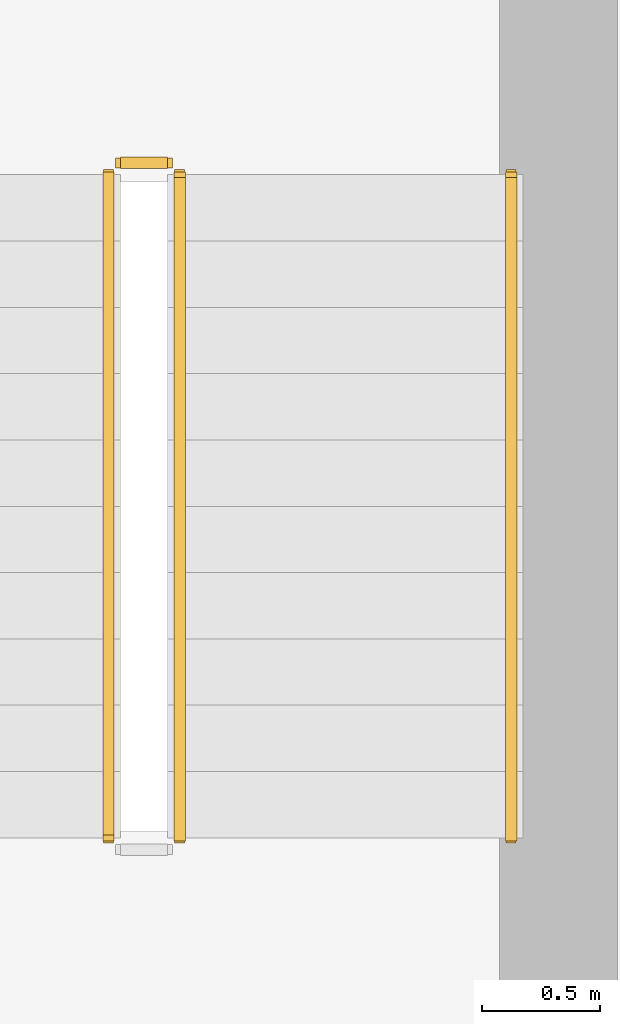
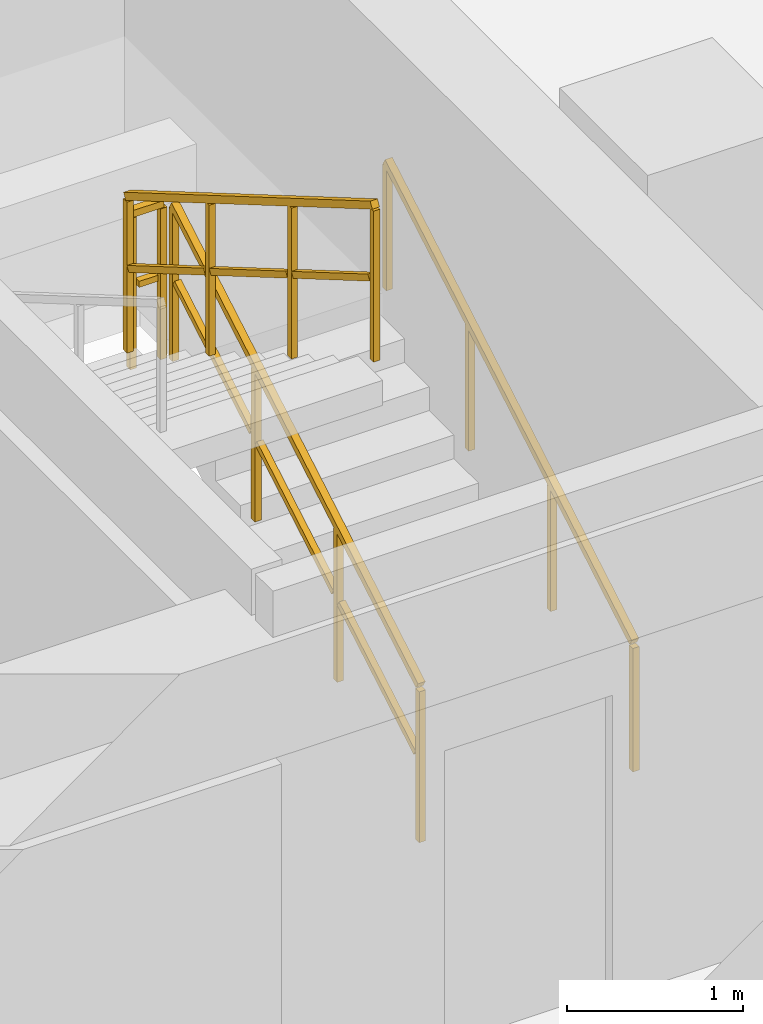
# One storey, part 33 of 33: 4 railings.
"""IFC4 building model written with IfcOpenShell, lengths in metres."""

from ifc_helpers import new_model, si_unit, direction, frame, origin, origin_2d, place, context, subcontext, project, spatial, rectangle, extrude, material, type_object, element, save


model = new_model("IFC4")

# Units and contexts
model_context = context("Model", 3, precision=1e-05, world=origin(), true_north=direction((0.0, 1.0)))
body_context = subcontext(model_context, "Body", "Model", "MODEL_VIEW")
ifc_project = project(units=[si_unit("LENGTHUNIT", "METRE"), si_unit("AREAUNIT", "SQUARE_METRE"), si_unit("VOLUMEUNIT", "CUBIC_METRE"), si_unit("PLANEANGLEUNIT", "RADIAN"), si_unit("MASSUNIT", "GRAM", prefix="KILO")], contexts=[model_context])

# Site, building, storey
site_placement = place(None, origin())
site = spatial("IfcSite", under=ifc_project, at=site_placement, CompositionType="ELEMENT")
building_placement = place(site_placement, origin())
building = spatial("IfcBuilding", under=site, at=building_placement, Name="Thornwick Lancets Civic Towers", CompositionType="ELEMENT")
storey_placement = place(building_placement, frame((0.0, 0.0, 218.10009765625)))
storey = spatial("IfcBuildingStorey", under=building, at=storey_placement, Name="L58", CompositionType="ELEMENT", Elevation=218.10009765625)

# Railings
ifc_material_1 = material(Name="Brushed stainless steel S355", Category="steel")
railing_type_1 = type_object("IfcRailingType", Name="RAIL_HANDRAIL", PredefinedType="HANDRAIL", material=ifc_material_1)
railing_1_placement = place(storey_placement, frame((100.449951171875, 20.89990234375, 0.16357421875)))
element("IfcRailing", 1, at=railing_1_placement, inside=storey, type_object=railing_type_1, Name="L58 ST-B1 stair handrail 1", PredefinedType="HANDRAIL", context=body_context, shape_type="SweptSolid", body=[
    extrude(rectangle(XDim=0.048095703125, YDim=0.048095703125, at=origin_2d()), frame((0.0, 0.0, 0.8857421875), z_axis=(0.0, 0.863393664356, 0.504530851732), x_axis=(-1.0, 0.0, 0.0)), (0.0, 0.0, 1.0), 3.2431640625),
    extrude(rectangle(XDim=0.0419921875, YDim=0.0419921875, at=origin_2d()), origin(), (0.0, 0.0, 1.0), 0.855712890625),
    extrude(rectangle(XDim=0.0419921875, YDim=0.0419921875, at=origin_2d()), frame((0.0, 0.933349609375, 0.54541015625)), (0.0, 0.0, 1.0), 0.855712890625),
    extrude(rectangle(XDim=0.0419921875, YDim=0.0419921875, at=origin_2d()), frame((0.0, 1.86669921875, 1.0908203125)), (0.0, 0.0, 1.0), 0.855712890625),
    extrude(rectangle(XDim=0.0419921875, YDim=0.0419921875, at=origin_2d()), frame((0.0, 2.800048828125, 1.63623046875)), (0.0, 0.0, 1.0), 0.855712890625),
])
ifc_material_2 = material(Name="Steel S355JR", Category="steel")
railing_type_2 = type_object("IfcRailingType", Name="RAIL_STAIR_GUARD", PredefinedType="GUARDRAIL", material=ifc_material_2)
railing_2_placement = place(storey_placement, frame((99.050048828125, 20.89990234375, 0.16357421875)))
element("IfcRailing", 2, at=railing_2_placement, inside=storey, type_object=railing_type_2, Name="L58 ST-B1 stair guard 1", PredefinedType="GUARDRAIL", context=body_context, shape_type="SweptSolid", body=[
    extrude(rectangle(XDim=0.048095703125, YDim=0.048095703125, at=origin_2d()), frame((0.0, 0.0, 1.076171875), z_axis=(0.0, 0.863393664356, 0.504530851732), x_axis=(-1.0, 0.0, 0.0)), (0.0, 0.0, 1.0), 3.2431640625),
    extrude(rectangle(XDim=0.0419921875, YDim=0.0419921875, at=origin_2d()), frame((0.0, 0.032470703125, 0.591064453125), z_axis=(0.0, 0.863393664356, 0.504530851732), x_axis=(-1.0, 0.0, 0.0)), (0.0, 0.0, 1.0), 1.006103515625),
    extrude(rectangle(XDim=0.0419921875, YDim=0.0419921875, at=origin_2d()), frame((0.0, 0.9658203125, 1.136474609375), z_axis=(0.0, 0.863393664356, 0.504530851732), x_axis=(-1.0, 0.0, 0.0)), (0.0, 0.0, 1.0), 1.006103515625),
    extrude(rectangle(XDim=0.0419921875, YDim=0.0419921875, at=origin_2d()), frame((0.0, 1.899169921875, 1.681884765625), z_axis=(0.0, 0.863393664356, 0.504530851732), x_axis=(-1.0, 0.0, 0.0)), (0.0, 0.0, 1.0), 1.006103515625),
    extrude(rectangle(XDim=0.0419921875, YDim=0.0419921875, at=origin_2d()), origin(), (0.0, 0.0, 1.0), 1.0458984375),
    extrude(rectangle(XDim=0.0419921875, YDim=0.0419921875, at=origin_2d()), frame((0.0, 0.933349609375, 0.54541015625)), (0.0, 0.0, 1.0), 1.0458984375),
    extrude(rectangle(XDim=0.0419921875, YDim=0.0419921875, at=origin_2d()), frame((0.0, 1.86669921875, 1.0908203125)), (0.0, 0.0, 1.0), 1.0458984375),
    extrude(rectangle(XDim=0.0419921875, YDim=0.0419921875, at=origin_2d()), frame((0.0, 2.800048828125, 1.63623046875)), (0.0, 0.0, 1.0), 1.0458984375),
])
railing_3_placement = place(storey_placement, frame((99.0, 23.75, 1.7998046875)))
element("IfcRailing", 3, at=railing_3_placement, inside=storey, type_object=railing_type_2, Name="L58 ST-B1 stair guard 2", PredefinedType="GUARDRAIL", context=body_context, shape_type="SweptSolid", body=[
    extrude(rectangle(XDim=0.048095703125, YDim=0.048095703125, at=origin_2d()), frame((0.0, 0.0, 1.076171875), z_axis=(-1.0, 0.0, 0.0), x_axis=(0.0, -1.0, 0.0)), (0.0, 0.0, 1.0), 0.199951171875),
    extrude(rectangle(XDim=0.0419921875, YDim=0.0419921875, at=origin_2d()), frame((-0.03759765625, 0.0, 0.572021484375), z_axis=(-1.0, 0.0, 0.0), x_axis=(0.0, -1.0, 0.0)), (0.0, 0.0, 1.0), 0.125),
    extrude(rectangle(XDim=0.0419921875, YDim=0.0419921875, at=origin_2d()), origin(), (0.0, 0.0, 1.0), 1.0458984375),
    extrude(rectangle(XDim=0.0419921875, YDim=0.0419921875, at=origin_2d()), frame((-0.199951171875, 0.0, 0.0)), (0.0, 0.0, 1.0), 1.0458984375),
])
railing_4_placement = place(storey_placement, frame((98.75, 23.699951171875, 1.963623046875)))
element("IfcRailing", 4, at=railing_4_placement, inside=storey, type_object=railing_type_2, Name="L58 ST-B1 stair guard 3", PredefinedType="GUARDRAIL", context=body_context, shape_type="SweptSolid", body=[
    extrude(rectangle(XDim=0.048095703125, YDim=0.048095703125, at=origin_2d()), frame((0.0, 0.0, 1.076171875), z_axis=(0.0, -0.863393664356, 0.504530851732), x_axis=(1.0, 0.0, 0.0)), (0.0, 0.0, 1.0), 3.2431640625),
    extrude(rectangle(XDim=0.0419921875, YDim=0.0419921875, at=origin_2d()), frame((0.0, -0.032470703125, 0.591064453125), z_axis=(0.0, -0.863393664356, 0.504530851732), x_axis=(1.0, 0.0, 0.0)), (0.0, 0.0, 1.0), 1.006103515625),
    extrude(rectangle(XDim=0.0419921875, YDim=0.0419921875, at=origin_2d()), frame((0.0, -0.9658203125, 1.136474609375), z_axis=(0.0, -0.863393664356, 0.504530851732), x_axis=(1.0, 0.0, 0.0)), (0.0, 0.0, 1.0), 1.006103515625),
    extrude(rectangle(XDim=0.0419921875, YDim=0.0419921875, at=origin_2d()), frame((0.0, -1.899169921875, 1.681884765625), z_axis=(0.0, -0.863393664356, 0.504530851732), x_axis=(1.0, 0.0, 0.0)), (0.0, 0.0, 1.0), 1.006103515625),
    extrude(rectangle(XDim=0.0419921875, YDim=0.0419921875, at=origin_2d()), origin(), (0.0, 0.0, 1.0), 1.0458984375),
    extrude(rectangle(XDim=0.0419921875, YDim=0.0419921875, at=origin_2d()), frame((0.0, -0.933349609375, 0.54541015625)), (0.0, 0.0, 1.0), 1.0458984375),
    extrude(rectangle(XDim=0.0419921875, YDim=0.0419921875, at=origin_2d()), frame((0.0, -1.86669921875, 1.0908203125)), (0.0, 0.0, 1.0), 1.0458984375),
    extrude(rectangle(XDim=0.0419921875, YDim=0.0419921875, at=origin_2d()), frame((0.0, -2.800048828125, 1.63623046875)), (0.0, 0.0, 1.0), 1.0458984375),
])

save(model, "model.ifc")
